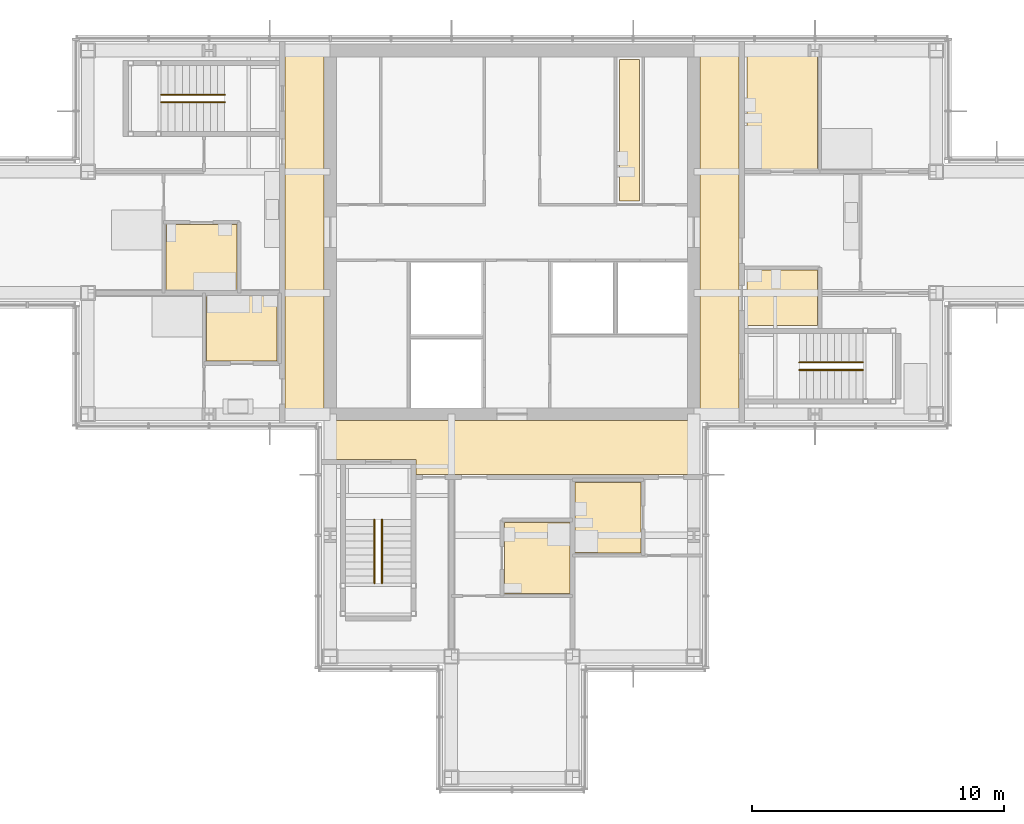
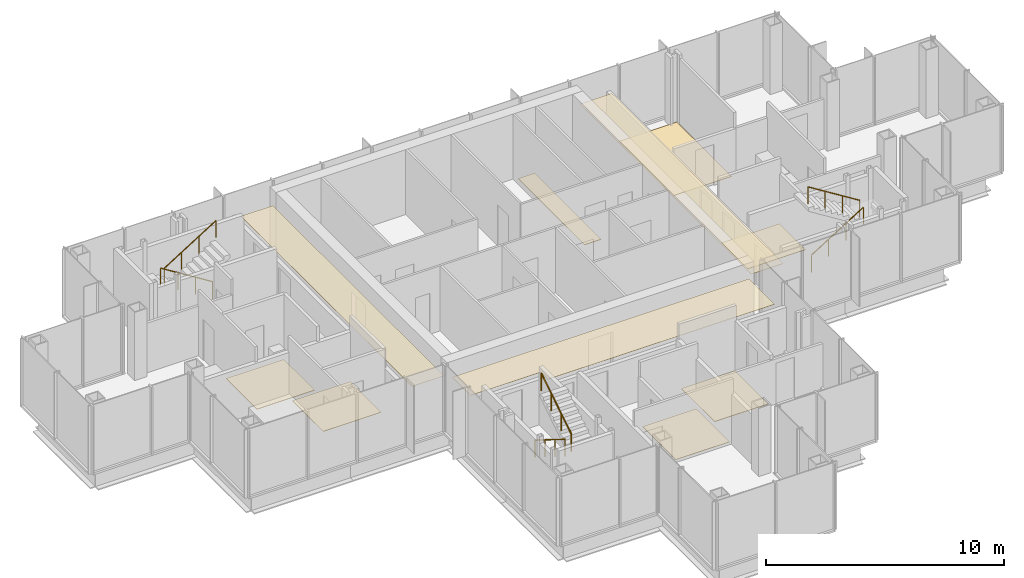
# One storey, part 13 of 15: 10 coverings, 6 railings.
"""IFC4 building model written with IfcOpenShell, lengths in metres."""

from ifc_helpers import new_model, si_unit, direction, frame, origin, origin_2d, place, context, subcontext, project, spatial, polyline, circle, outline, extrude, material, layer, layer_set, type_object, element, save


model = new_model("IFC4")

# Units and contexts
model_context = context("Model", 3, precision=1e-05, world=origin(), true_north=direction((0.0, 1.0)))
body_context = subcontext(model_context, "Body", "Model", "MODEL_VIEW")
ifc_project = project(units=[si_unit("LENGTHUNIT", "METRE"), si_unit("AREAUNIT", "SQUARE_METRE"), si_unit("VOLUMEUNIT", "CUBIC_METRE"), si_unit("PLANEANGLEUNIT", "RADIAN"), si_unit("MASSUNIT", "GRAM", prefix="KILO")], contexts=[model_context])

# Site, building, storey
site_placement = place(None, origin())
site = spatial("IfcSite", under=ifc_project, at=site_placement, CompositionType="ELEMENT")
building_placement = place(site_placement, origin())
building = spatial("IfcBuilding", under=site, at=building_placement, Name="Kvirike Care Tower", CompositionType="ELEMENT")
storey_placement = place(building_placement, frame((0.0, 0.0, 212.0)))
storey = spatial("IfcBuildingStorey", under=building, at=storey_placement, Name="L58", CompositionType="ELEMENT", Elevation=212.0)

# Coverings
ifc_material_1 = material(Name="Perforated metal ceiling tile", Category="aluminium")
ifc_layer_1 = layer(ifc_material_1, 0.014892578125)
ifc_layer_set_1 = layer_set([ifc_layer_1], Name="CORRIDOR CEILING 15")
covering_type_1 = type_object("IfcCoveringType", Name="CORRIDOR CEILING 15", PredefinedType="CEILING", material=ifc_layer_set_1)
covering_1_placement = place(storey_placement, frame((0.0, 0.0, 2.5)))
element("IfcCovering", 1, at=covering_1_placement, inside=storey, type_object=covering_type_1, Name="Corridor ceiling L58", PredefinedType="CEILING", context=body_context, shape_type="SweptSolid", body=[
    extrude(outline(polyline([(12.60009765625, 43.199951171875), (14.14990234375, 43.199951171875), (14.14990234375, 28.800048828125), (12.60009765625, 28.800048828125), (12.60009765625, 43.199951171875)])), origin(), (0.0, 0.0, 1.0), 0.014892578125),
])
covering_2_placement = place(storey_placement, frame((0.0, 0.0, 2.5)))
element("IfcCovering", 2, at=covering_2_placement, inside=storey, type_object=covering_type_1, Name="Corridor ceiling L58", PredefinedType="CEILING", context=body_context, shape_type="SweptSolid", body=[
    extrude(outline(polyline([(14.39990234375, 28.550048828125), (28.800048828125, 28.550048828125), (28.800048828125, 26.39990234375), (17.800048828125, 26.39990234375), (17.800048828125, 27.0), (14.39990234375, 27.0), (14.39990234375, 28.550048828125)])), origin(), (0.0, 0.0, 1.0), 0.014892578125),
])
covering_3_placement = place(storey_placement, frame((0.0, 0.0, 2.5)))
element("IfcCovering", 3, at=covering_3_placement, inside=storey, type_object=covering_type_1, Name="Corridor ceiling L58", PredefinedType="CEILING", context=body_context, shape_type="SweptSolid", body=[
    extrude(outline(polyline([(30.60009765625, 28.800048828125), (29.050048828125, 28.800048828125), (29.050048828125, 43.199951171875), (30.60009765625, 43.199951171875), (30.60009765625, 28.800048828125)])), origin(), (0.0, 0.0, 1.0), 0.014892578125),
])

# Railings
ifc_material_2 = material(Name="Stainless steel handrail", Category="steel")
railing_type = type_object("IfcRailingType", Name="STAIR HANDRAIL 900", PredefinedType="HANDRAIL", material=ifc_material_2)
railing_1_placement = place(storey_placement, frame((10.219970703125, 41.449951171875, 0.175048828125)))
element("IfcRailing", 4, at=railing_1_placement, inside=storey, type_object=railing_type, Name="Stair 1 handrail L58 flight 1", PredefinedType="HANDRAIL", context=body_context, shape_type="SweptSolid", body=[
    extrude(circle(Radius=0.02490234375, at=origin_2d()), frame((0.0, 0.0, 0.875), z_axis=(-0.848007534815, 0.0, 0.529984170421), x_axis=(0.0, -1.0, 0.0)), (0.0, 0.0, 1.0), 2.9716796875),
    extrude(circle(Radius=0.02001953125, at=origin_2d()), origin(), (0.0, 0.0, 1.0), 0.849853515625),
    extrude(circle(Radius=0.02001953125, at=origin_2d()), frame((-0.840087890625, 0.0, 0.52490234375)), (0.0, 0.0, 1.0), 0.849853515625),
    extrude(circle(Radius=0.02001953125, at=origin_2d()), frame((-1.679931640625, 0.0, 1.050048828125)), (0.0, 0.0, 1.0), 0.849853515625),
    extrude(circle(Radius=0.02001953125, at=origin_2d()), frame((-2.52001953125, 0.0, 1.574951171875)), (0.0, 0.0, 1.0), 0.849853515625),
])
for number, where, name in (
    (5, (7.699951171875, 41.14990234375, 1.925048828125), "Stair 1 handrail L58 flight 2"),
    (6, (32.97998046875, 30.550048828125, 0.175048828125), "Stair 2 handrail L58 flight 1"),
):
    element("IfcRailing", number, at=place(storey_placement, frame(where)), inside=storey, type_object=railing_type, Name=name, PredefinedType="HANDRAIL", context=body_context, shape_type="SweptSolid", body=[
        extrude(circle(Radius=0.02490234375, at=origin_2d()), frame((0.0, 0.0, 0.875), z_axis=(0.848007534815, 0.0, 0.529984170421), x_axis=(0.0, 1.0, 0.0)), (0.0, 0.0, 1.0), 2.9716796875),
        extrude(circle(Radius=0.02001953125, at=origin_2d()), origin(), (0.0, 0.0, 1.0), 0.849853515625),
        extrude(circle(Radius=0.02001953125, at=origin_2d()), frame((0.840087890625, 0.0, 0.52490234375)), (0.0, 0.0, 1.0), 0.849853515625),
        extrude(circle(Radius=0.02001953125, at=origin_2d()), frame((1.679931640625, 0.0, 1.050048828125)), (0.0, 0.0, 1.0), 0.849853515625),
        extrude(circle(Radius=0.02001953125, at=origin_2d()), frame((2.52001953125, 0.0, 1.574951171875)), (0.0, 0.0, 1.0), 0.849853515625),
    ])
railing_2_placement = place(storey_placement, frame((35.5, 30.85009765625, 1.925048828125)))
element("IfcRailing", 7, at=railing_2_placement, inside=storey, type_object=railing_type, Name="Stair 2 handrail L58 flight 2", PredefinedType="HANDRAIL", context=body_context, shape_type="SweptSolid", body=[
    extrude(circle(Radius=0.02490234375, at=origin_2d()), frame((0.0, 0.0, 0.875), z_axis=(-0.848007534815, 0.0, 0.529984170421), x_axis=(0.0, -1.0, 0.0)), (0.0, 0.0, 1.0), 2.9716796875),
    extrude(circle(Radius=0.02001953125, at=origin_2d()), origin(), (0.0, 0.0, 1.0), 0.849853515625),
    extrude(circle(Radius=0.02001953125, at=origin_2d()), frame((-0.840087890625, 0.0, 0.52490234375)), (0.0, 0.0, 1.0), 0.849853515625),
    extrude(circle(Radius=0.02001953125, at=origin_2d()), frame((-1.679931640625, 0.0, 1.050048828125)), (0.0, 0.0, 1.0), 0.849853515625),
    extrude(circle(Radius=0.02001953125, at=origin_2d()), frame((-2.52001953125, 0.0, 1.574951171875)), (0.0, 0.0, 1.0), 0.849853515625),
])
railing_3_placement = place(storey_placement, frame((16.14990234375, 24.6201171875, 0.175048828125)))
element("IfcRailing", 8, at=railing_3_placement, inside=storey, type_object=railing_type, Name="Stair 5 handrail L58 flight 1", PredefinedType="HANDRAIL", context=body_context, shape_type="SweptSolid", body=[
    extrude(circle(Radius=0.02490234375, at=origin_2d()), frame((0.0, 0.0, 0.875), z_axis=(0.0, -0.848007534815, 0.529984170421), x_axis=(1.0, 0.0, 0.0)), (0.0, 0.0, 1.0), 2.9716796875),
    extrude(circle(Radius=0.02001953125, at=origin_2d()), origin(), (0.0, 0.0, 1.0), 0.849853515625),
    extrude(circle(Radius=0.02001953125, at=origin_2d()), frame((0.0, -0.840087890625, 0.52490234375)), (0.0, 0.0, 1.0), 0.849853515625),
    extrude(circle(Radius=0.02001953125, at=origin_2d()), frame((0.0, -1.679931640625, 1.050048828125)), (0.0, 0.0, 1.0), 0.849853515625),
    extrude(circle(Radius=0.02001953125, at=origin_2d()), frame((0.0, -2.52001953125, 1.574951171875)), (0.0, 0.0, 1.0), 0.849853515625),
])
railing_4_placement = place(storey_placement, frame((16.449951171875, 22.10009765625, 1.925048828125)))
element("IfcRailing", 9, at=railing_4_placement, inside=storey, type_object=railing_type, Name="Stair 5 handrail L58 flight 2", PredefinedType="HANDRAIL", context=body_context, shape_type="SweptSolid", body=[
    extrude(circle(Radius=0.02490234375, at=origin_2d()), frame((0.0, 0.0, 0.875), z_axis=(0.0, 0.848007534815, 0.529984170421), x_axis=(-1.0, 0.0, 0.0)), (0.0, 0.0, 1.0), 2.9716796875),
    extrude(circle(Radius=0.02001953125, at=origin_2d()), origin(), (0.0, 0.0, 1.0), 0.849853515625),
    extrude(circle(Radius=0.02001953125, at=origin_2d()), frame((0.0, 0.840087890625, 0.52490234375)), (0.0, 0.0, 1.0), 0.849853515625),
    extrude(circle(Radius=0.02001953125, at=origin_2d()), frame((0.0, 1.679931640625, 1.050048828125)), (0.0, 0.0, 1.0), 0.849853515625),
    extrude(circle(Radius=0.02001953125, at=origin_2d()), frame((0.0, 2.52001953125, 1.574951171875)), (0.0, 0.0, 1.0), 0.849853515625),
])

# Coverings
ifc_material_3 = material(Name="Slip-resistant vinyl safety flooring on screed")
ifc_layer_2 = layer(ifc_material_3, 0.02001953125)
ifc_layer_set_2 = layer_set([ifc_layer_2], Name="WET ROOM FLOOR 20")
covering_type_2 = type_object("IfcCoveringType", Name="WET ROOM FLOOR 20", PredefinedType="FLOORING", material=ifc_layer_set_2)
covering_4_placement = place(storey_placement, origin())
element("IfcCovering", 10, at=covering_4_placement, inside=storey, type_object=covering_type_2, Name="Bathroom floor L58-005", PredefinedType="FLOORING", context=body_context, shape_type="SweptSolid", body=[
    extrude(outline(polyline([(7.89990234375, 36.300048828125), (10.699951171875, 36.300048828125), (10.699951171875, 33.699951171875), (7.89990234375, 33.699951171875), (7.89990234375, 36.300048828125)])), origin(), (0.0, 0.0, 1.0), 0.02001953125),
])
covering_5_placement = place(storey_placement, origin())
element("IfcCovering", 11, at=covering_5_placement, inside=storey, type_object=covering_type_2, Name="Bathroom floor L58-008", PredefinedType="FLOORING", context=body_context, shape_type="SweptSolid", body=[
    extrude(outline(polyline([(9.5, 33.5), (12.300048828125, 33.5), (12.300048828125, 30.89990234375), (9.5, 30.89990234375), (9.5, 33.5)])), origin(), (0.0, 0.0, 1.0), 0.02001953125),
])
covering_6_placement = place(storey_placement, origin())
element("IfcCovering", 12, at=covering_6_placement, inside=storey, type_object=covering_type_2, Name="Shower room floor L58-014", PredefinedType="FLOORING", context=body_context, shape_type="SweptSolid", body=[
    extrude(outline(polyline([(21.300048828125, 21.699951171875), (21.300048828125, 24.5), (23.89990234375, 24.5), (23.89990234375, 21.699951171875), (21.300048828125, 21.699951171875)])), origin(), (0.0, 0.0, 1.0), 0.02001953125),
])
covering_7_placement = place(storey_placement, origin())
element("IfcCovering", 13, at=covering_7_placement, inside=storey, type_object=covering_type_2, Name="Shower room floor L58-017", PredefinedType="FLOORING", context=body_context, shape_type="SweptSolid", body=[
    extrude(outline(polyline([(24.10009765625, 23.300048828125), (24.10009765625, 26.10009765625), (26.699951171875, 26.10009765625), (26.699951171875, 23.300048828125), (24.10009765625, 23.300048828125)])), origin(), (0.0, 0.0, 1.0), 0.02001953125),
])
covering_8_placement = place(storey_placement, origin())
element("IfcCovering", 14, at=covering_8_placement, inside=storey, type_object=covering_type_2, Name="Accessible WC floor L58-024", PredefinedType="FLOORING", context=body_context, shape_type="SweptSolid", body=[
    extrude(outline(polyline([(33.699951171875, 32.300048828125), (30.89990234375, 32.300048828125), (30.89990234375, 34.5), (33.699951171875, 34.5), (33.699951171875, 32.300048828125)])), origin(), (0.0, 0.0, 1.0), 0.02001953125),
])
covering_9_placement = place(storey_placement, origin())
element("IfcCovering", 15, at=covering_9_placement, inside=storey, type_object=covering_type_2, Name="Bathroom floor L58-025", PredefinedType="FLOORING", context=body_context, shape_type="SweptSolid", body=[
    extrude(outline(polyline([(33.699951171875, 38.5), (30.89990234375, 38.5), (30.89990234375, 43.10009765625), (33.699951171875, 43.10009765625), (33.699951171875, 38.5)])), origin(), (0.0, 0.0, 1.0), 0.02001953125),
])
covering_10_placement = place(storey_placement, origin())
element("IfcCovering", 16, at=covering_10_placement, inside=storey, type_object=covering_type_2, Name="Staff WC floor L58-033", PredefinedType="FLOORING", context=body_context, shape_type="SweptSolid", body=[
    extrude(outline(polyline([(26.64990234375, 37.25), (25.85009765625, 37.25), (25.85009765625, 42.85009765625), (26.64990234375, 42.85009765625), (26.64990234375, 37.25)])), origin(), (0.0, 0.0, 1.0), 0.02001953125),
])

save(model, "model.ifc")
